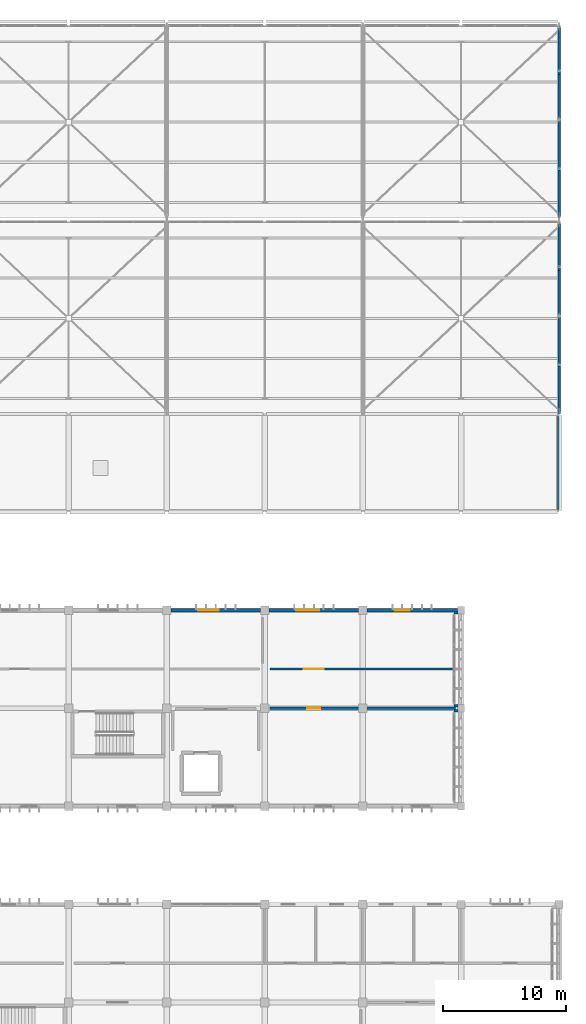
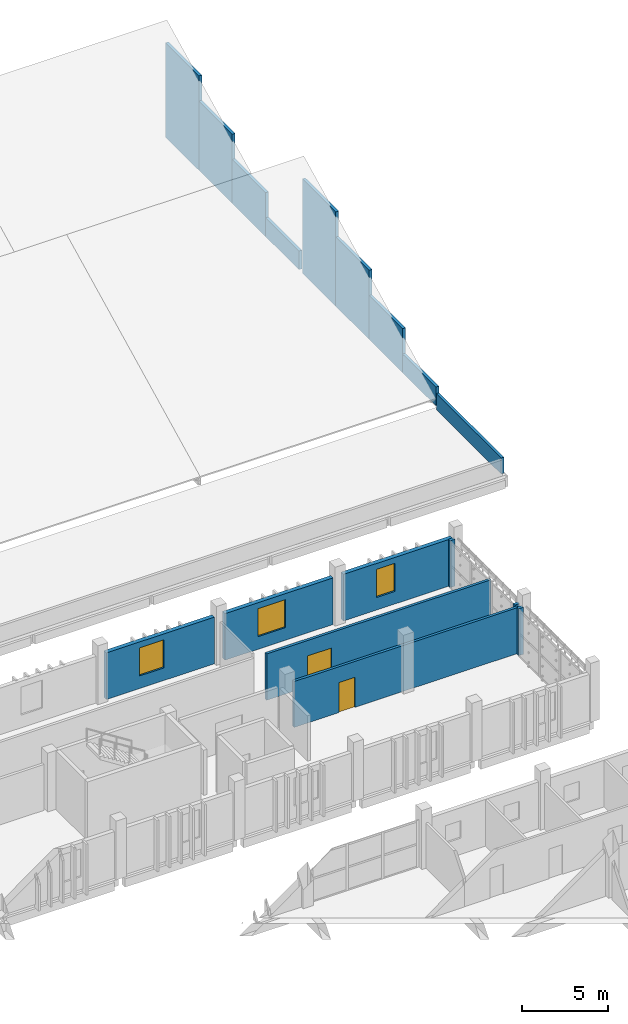
# One storey, part 123 of 137: 17 walls, 3 windows, 2 doors, 5 openings.
"""IFC4 building model written with IfcOpenShell, lengths in metres."""

from ifc_helpers import new_model, si_unit, direction, frame, frame_2d, origin, place, context, subcontext, project, spatial, rectangle, extrude, material, layer, layer_set, type_object, element, fill, save


model = new_model("IFC4")

# Units and contexts
model_context = context("Model", 3, precision=1e-05, world=origin(), true_north=direction((0.0, 1.0)))
body_context = subcontext(model_context, "Body", "Model", "MODEL_VIEW")
ifc_project = project(units=[si_unit("LENGTHUNIT", "METRE"), si_unit("AREAUNIT", "SQUARE_METRE"), si_unit("VOLUMEUNIT", "CUBIC_METRE"), si_unit("PLANEANGLEUNIT", "RADIAN"), si_unit("MASSUNIT", "GRAM", prefix="KILO")], contexts=[model_context])

# Site, building, storey
site_placement = place(None, origin())
site = spatial("IfcSite", under=ifc_project, at=site_placement, CompositionType="ELEMENT")
building_placement = place(site_placement, origin())
building = spatial("IfcBuilding", under=site, at=building_placement, Name="Jelvoka-Kovrelna Polytechnic", CompositionType="ELEMENT")
storey_placement = place(building_placement, frame((0.0, 0.0, 9.60009765625)))
storey = spatial("IfcBuildingStorey", under=building, at=storey_placement, Name="L03", CompositionType="ELEMENT", Elevation=9.60009765625)

# Wall, opening, door
ifc_material_1 = material(Name="Autoclaved aerated concrete blockwork", Category="masonry")
ifc_layer_1 = layer(ifc_material_1, 0.179931640625)
ifc_layer_set_1 = layer_set([ifc_layer_1], Name="Autoclaved aerated concrete blockwork")
wall_type_1 = type_object("IfcWallType", Name="Wall_Corridor_180", PredefinedType="PARTITIONING", material=ifc_layer_set_1)
wall_1_placement = place(storey_placement, frame((176.429931640625, 64.0, 0.0), z_axis=(0.0, 0.0, 1.0), x_axis=(1.0, 0.0, 0.0)))
wall_1 = element("IfcWall", 1, at=wall_1_placement, inside=storey, type_object=wall_type_1, Name="L03 interior wall 1067", PredefinedType="PARTITIONING", context=body_context, shape_type="SweptSolid", body=[
    extrude(rectangle(XDim=15.14013671875, YDim=0.179931640625, at=frame_2d((7.570068359375, 0.0))), origin(), (0.0, 0.0, 1.0), 3.27490234375),
])
opening_1_placement = place(wall_1_placement, frame((3.030029296875, 0.0, 0.0)))
opening_1 = element("IfcOpeningElement", 2, at=opening_1_placement, cuts=wall_1, Name="Opening D-L03-304", PredefinedType="OPENING", context=body_context, shape_type="SweptSolid", body=[
    extrude(rectangle(XDim=1.080078125, YDim=2.14990234375, at=frame_2d((0.5400390625, 1.074951171875))), frame((0.0, 0.099853515625, 0.0), z_axis=(0.0, -1.0, 0.0), x_axis=(1.0, 0.0, 0.0)), (0.0, 0.0, 1.0), 0.199951171875),
])
ifc_material_2 = material(Name="Hardwood acoustic seminar door", Category="wood")
door_type_1 = type_object("IfcDoorType", Name="Door_Int_D10", OperationType="NOTDEFINED", PredefinedType="DOOR", material=ifc_material_2)
door_1_placement = place(opening_1_placement, origin())
door_1 = element("IfcDoor", 3, at=door_1_placement, inside=storey, type_object=door_type_1, Name="L03 interior door D-L03-304", OperationType="SINGLE_SWING_RIGHT", OverallHeight=2.14990234375, OverallWidth=1.080078125, PredefinedType="DOOR", context=body_context, shape_type="SweptSolid", body=[
    extrude(rectangle(XDim=1.080078125, YDim=2.14990234375, at=frame_2d((0.5400390625, 1.074951171875))), frame((0.0, 0.02490234375, 0.0), z_axis=(0.0, -1.0, 0.0), x_axis=(1.0, 0.0, 0.0)), (0.0, 0.0, 1.0), 0.050048828125),
])
fill(opening_1, door_1)

wall_2_placement = place(storey_placement, frame((176.429931640625, 67.199951171875, 0.0), z_axis=(0.0, 0.0, 1.0), x_axis=(1.0, 0.0, 0.0)))
wall_2 = element("IfcWall", 4, at=wall_2_placement, inside=storey, type_object=wall_type_1, Name="L03 interior wall 1076", PredefinedType="PARTITIONING", context=body_context, shape_type="SweptSolid", body=[
    extrude(rectangle(XDim=15.14013671875, YDim=0.179931640625, at=frame_2d((7.570068359375, 0.0))), origin(), (0.0, 0.0, 1.0), 3.2998046875),
])
opening_2_placement = place(wall_2_placement, frame((2.760009765625, 0.0, 0.0)))
opening_2 = element("IfcOpeningElement", 5, at=opening_2_placement, cuts=wall_2, Name="Opening D-L03-310", PredefinedType="OPENING", context=body_context, shape_type="SweptSolid", body=[
    extrude(rectangle(XDim=1.6201171875, YDim=2.199951171875, at=frame_2d((0.81005859375, 1.10009765625))), frame((0.0, 0.099853515625, 0.0), z_axis=(0.0, -1.0, 0.0), x_axis=(1.0, 0.0, 0.0)), (0.0, 0.0, 1.0), 0.199951171875),
])
ifc_material_3 = material(Name="Paired library reading hall door", Category="wood")
door_type_2 = type_object("IfcDoorType", Name="Door_Int_D19", OperationType="NOTDEFINED", PredefinedType="DOOR", material=ifc_material_3)
door_2_placement = place(opening_2_placement, origin())
door_2 = element("IfcDoor", 6, at=door_2_placement, inside=storey, type_object=door_type_2, Name="L03 interior door D-L03-310", OperationType="DOUBLE_DOOR_SINGLE_SWING", OverallHeight=2.199951171875, OverallWidth=1.6201171875, PredefinedType="DOOR", context=body_context, shape_type="SweptSolid", body=[
    extrude(rectangle(XDim=1.6201171875, YDim=2.199951171875, at=frame_2d((0.81005859375, 1.10009765625))), frame((0.0, 0.02490234375, 0.0), z_axis=(0.0, -1.0, 0.0), x_axis=(1.0, 0.0, 0.0)), (0.0, 0.0, 1.0), 0.050048828125),
])
fill(opening_2, door_2)

# Wall, opening, window
ifc_material_4 = material(Name="Precast concrete C40/50", Category="concrete")
ifc_layer_2 = layer(ifc_material_4, 0.280029296875)
ifc_layer_set_2 = layer_set([ifc_layer_2], Name="Precast concrete C40/50")
wall_type_2 = type_object("IfcWallType", Name="Wall_Ext_White_280", PredefinedType="STANDARD", material=ifc_layer_set_2)
wall_3_placement = place(storey_placement, frame((168.346923828125, 72.0, 0.0), z_axis=(0.0, 0.0, 1.0), x_axis=(1.0, 0.0, 0.0)))
wall_3 = element("IfcWall", 7, at=wall_3_placement, inside=storey, type_object=wall_type_2, Name="L03 exterior wall 0666", PredefinedType="STANDARD", context=body_context, shape_type="SweptSolid", body=[
    extrude(rectangle(XDim=7.30615234375, YDim=0.280029296875, at=frame_2d((3.653076171875, 0.0))), origin(), (0.0, 0.0, 1.0), 3.324951171875),
])
opening_3_placement = place(wall_3_placement, frame((2.23291015625, 0.0, 0.89990234375)))
opening_3 = element("IfcOpeningElement", 8, at=opening_3_placement, cuts=wall_3, Name="Opening W-L03-336", PredefinedType="OPENING", context=body_context, shape_type="SweptSolid", body=[
    extrude(rectangle(XDim=1.64990234375, YDim=2.0, at=frame_2d((0.824951171875, 1.0))), frame((0.0, 0.150146484375, 0.0), z_axis=(0.0, -1.0, 0.0), x_axis=(1.0, 0.0, 0.0)), (0.0, 0.0, 1.0), 0.300048828125),
])
ifc_material_5 = material(Name="Thermally broken anodised aluminium and low-e glazing", Category="aluminium")
window_type_1 = type_object("IfcWindowType", Name="Win_Casement_W54", PartitioningType="DOUBLE_PANEL_VERTICAL", PredefinedType="WINDOW", material=ifc_material_5)
window_1_placement = place(opening_3_placement, origin())
window_1 = element("IfcWindow", 9, at=window_1_placement, inside=storey, type_object=window_type_1, Name="L03 aluminium casement window W-L03-336", OverallHeight=2.0, OverallWidth=1.64990234375, PartitioningType="DOUBLE_PANEL_VERTICAL", PredefinedType="WINDOW", context=body_context, shape_type="SweptSolid", body=[
    extrude(rectangle(XDim=1.64990234375, YDim=2.0, at=frame_2d((0.824951171875, 1.0))), frame((0.0, 0.030029296875, 0.0), z_axis=(0.0, -1.0, 0.0), x_axis=(1.0, 0.0, 0.0)), (0.0, 0.0, 1.0), 0.06005859375),
])
fill(opening_3, window_1)

wall_4_placement = place(storey_placement, frame((176.346923828125, 72.0, 0.0), z_axis=(0.0, 0.0, 1.0), x_axis=(1.0, 0.0, 0.0)))
wall_4 = element("IfcWall", 10, at=wall_4_placement, inside=storey, type_object=wall_type_2, Name="L03 exterior wall 0668", PredefinedType="STANDARD", context=body_context, shape_type="SweptSolid", body=[
    extrude(rectangle(XDim=7.30615234375, YDim=0.280029296875, at=frame_2d((3.653076171875, 0.0))), origin(), (0.0, 0.0, 1.0), 3.324951171875),
])
opening_4_placement = place(wall_4_placement, frame((2.23291015625, 0.0, 0.89990234375)))
opening_4 = element("IfcOpeningElement", 11, at=opening_4_placement, cuts=wall_4, Name="Opening W-L03-338", PredefinedType="OPENING", context=body_context, shape_type="SweptSolid", body=[
    extrude(rectangle(XDim=1.85009765625, YDim=2.0, at=frame_2d((0.925048828125, 1.0))), frame((0.0, 0.150146484375, 0.0), z_axis=(0.0, -1.0, 0.0), x_axis=(1.0, 0.0, 0.0)), (0.0, 0.0, 1.0), 0.300048828125),
])
ifc_material_6 = material(Name="Thermally broken anodised aluminium and low-e glazing", Category="aluminium")
window_type_2 = type_object("IfcWindowType", Name="Win_Casement_W55", PartitioningType="DOUBLE_PANEL_VERTICAL", PredefinedType="WINDOW", material=ifc_material_6)
window_2_placement = place(opening_4_placement, origin())
window_2 = element("IfcWindow", 12, at=window_2_placement, inside=storey, type_object=window_type_2, Name="L03 aluminium casement window W-L03-338", OverallHeight=2.0, OverallWidth=1.85009765625, PartitioningType="DOUBLE_PANEL_VERTICAL", PredefinedType="WINDOW", context=body_context, shape_type="SweptSolid", body=[
    extrude(rectangle(XDim=1.85009765625, YDim=2.0, at=frame_2d((0.925048828125, 1.0))), frame((0.0, 0.030029296875, 0.0), z_axis=(0.0, -1.0, 0.0), x_axis=(1.0, 0.0, 0.0)), (0.0, 0.0, 1.0), 0.06005859375),
])
fill(opening_4, window_2)

wall_5_placement = place(storey_placement, frame((184.346923828125, 72.0, 0.0), z_axis=(0.0, 0.0, 1.0), x_axis=(1.0, 0.0, 0.0)))
wall_5 = element("IfcWall", 13, at=wall_5_placement, inside=storey, type_object=wall_type_2, Name="L03 exterior wall 0670", PredefinedType="STANDARD", context=body_context, shape_type="SweptSolid", body=[
    extrude(rectangle(XDim=7.35595703125, YDim=0.280029296875, at=frame_2d((3.677978515625, 0.0))), origin(), (0.0, 0.0, 1.0), 3.324951171875),
])
opening_5_placement = place(wall_5_placement, frame((2.23291015625, 0.0, 0.89990234375)))
opening_5 = element("IfcOpeningElement", 14, at=opening_5_placement, cuts=wall_5, Name="Opening W-L03-340", PredefinedType="OPENING", context=body_context, shape_type="SweptSolid", body=[
    extrude(rectangle(XDim=1.25, YDim=2.0, at=frame_2d((0.625, 1.0))), frame((0.0, 0.150146484375, 0.0), z_axis=(0.0, -1.0, 0.0), x_axis=(1.0, 0.0, 0.0)), (0.0, 0.0, 1.0), 0.300048828125),
])
ifc_material_7 = material(Name="Thermally broken anodised aluminium and low-e glazing", Category="aluminium")
window_type_3 = type_object("IfcWindowType", Name="Win_Casement_W52", PartitioningType="SINGLE_PANEL", PredefinedType="WINDOW", material=ifc_material_7)
window_3_placement = place(opening_5_placement, origin())
window_3 = element("IfcWindow", 15, at=window_3_placement, inside=storey, type_object=window_type_3, Name="L03 aluminium casement window W-L03-340", OverallHeight=2.0, OverallWidth=1.25, PartitioningType="SINGLE_PANEL", PredefinedType="WINDOW", context=body_context, shape_type="SweptSolid", body=[
    extrude(rectangle(XDim=1.25, YDim=2.0, at=frame_2d((0.625, 1.0))), frame((0.0, 0.030029296875, 0.0), z_axis=(0.0, -1.0, 0.0), x_axis=(1.0, 0.0, 0.0)), (0.0, 0.0, 1.0), 0.06005859375),
])
fill(opening_5, window_3)

# Walls
ifc_material_8 = material(Name="Precast concrete C40/50", Category="concrete")
ifc_layer_3 = layer(ifc_material_8, 0.179931640625)
ifc_layer_set_3 = layer_set([ifc_layer_3], Name="Precast concrete C40/50")
wall_type_3 = type_object("IfcWallType", Name="Wall_Parapet_180", PredefinedType="PARAPET", material=ifc_layer_set_3)
wall_6_placement = place(storey_placement, frame((199.89990234375, 80.219970703125, 0.0), z_axis=(0.0, 0.0, 1.0), x_axis=(0.0, 1.0, 0.0)))
element("IfcWall", 16, at=wall_6_placement, inside=storey, type_object=wall_type_3, Name="L03 exterior wall 1193", PredefinedType="PARAPET", context=body_context, shape_type="SweptSolid", body=[
    extrude(rectangle(XDim=7.56005859375, YDim=0.179931640625, at=frame_2d((3.780029296875, 0.0))), origin(), (0.0, 0.0, 1.0), 1.14990234375),
])
ifc_material_9 = material(Name="Precast concrete C40/50", Category="concrete")
ifc_layer_4 = layer(ifc_material_9, 0.199951171875)
ifc_layer_set_4 = layer_set([ifc_layer_4], Name="Precast concrete C40/50")
wall_type_4 = type_object("IfcWallType", Name="Wall_Parapet_200", PredefinedType="PARAPET", material=ifc_layer_set_4)
for number, where, z_axis, x_axis, name in (
    (17, (191.760009765625, 63.780029296875, 0.0), (0.0, 0.0, 1.0), (-1.0, 0.0, 0.0), "L03 exterior wall 0672"),
    (18, (191.760009765625, 64.219970703125, 0.0), (0.0, 0.0, 1.0), (-1.0, 0.0, 0.0), "L03 exterior wall 0673"),
    (19, (191.760009765625, 71.780029296875, 0.0), (0.0, 0.0, 1.0), (-1.0, 0.0, 0.0), "L03 exterior wall 0674"),
):
    element("IfcWall", number, at=place(storey_placement, frame(where, z_axis=z_axis, x_axis=x_axis)), inside=storey, type_object=wall_type_4, Name=name, PredefinedType="PARAPET", context=body_context, shape_type="SweptSolid", body=[
        extrude(rectangle(XDim=0.320068359375, YDim=0.199951171875, at=frame_2d((0.16015625, 0.0))), origin(), (0.0, 0.0, 1.0), 3.349853515625),
    ])
wall_7_placement = place(storey_placement, frame((200.0, 88.0, 0.119873046875), z_axis=(0.0, 0.0, 1.0), x_axis=(0.0, 1.0, 0.0)))
element("IfcWall", 20, at=wall_7_placement, inside=storey, type_object=wall_type_4, Name="L03 exterior wall 0946", PredefinedType="PARAPET", context=body_context, shape_type="SweptSolid", body=[
    extrude(rectangle(XDim=3.89990234375, YDim=0.199951171875, at=frame_2d((1.949951171875, 0.0))), origin(), (0.0, 0.0, 1.0), 1.330078125),
])
wall_8_placement = place(storey_placement, frame((200.0, 91.89990234375, 0.119873046875), z_axis=(0.0, 0.0, 1.0), x_axis=(0.0, 1.0, 0.0)))
element("IfcWall", 21, at=wall_8_placement, inside=storey, type_object=wall_type_4, Name="L03 exterior wall 0947", PredefinedType="PARAPET", context=body_context, shape_type="SweptSolid", body=[
    extrude(rectangle(XDim=3.900146484375, YDim=0.199951171875, at=frame_2d((1.9501953125, 0.0))), origin(), (0.0, 0.0, 1.0), 3.130126953125),
])
wall_9_placement = place(storey_placement, frame((200.0, 95.800048828125, 0.119873046875), z_axis=(0.0, 0.0, 1.0), x_axis=(0.0, 1.0, 0.0)))
element("IfcWall", 22, at=wall_9_placement, inside=storey, type_object=wall_type_4, Name="L03 exterior wall 0948", PredefinedType="PARAPET", context=body_context, shape_type="SweptSolid", body=[
    extrude(rectangle(XDim=3.89990234375, YDim=0.199951171875, at=frame_2d((1.949951171875, 0.0))), origin(), (0.0, 0.0, 1.0), 4.929931640625),
])
wall_10_placement = place(storey_placement, frame((200.0, 99.699951171875, 0.119873046875), z_axis=(0.0, 0.0, 1.0), x_axis=(0.0, 1.0, 0.0)))
element("IfcWall", 23, at=wall_10_placement, inside=storey, type_object=wall_type_4, Name="L03 exterior wall 0949", PredefinedType="PARAPET", context=body_context, shape_type="SweptSolid", body=[
    extrude(rectangle(XDim=3.900146484375, YDim=0.199951171875, at=frame_2d((1.9501953125, 0.0))), origin(), (0.0, 0.0, 1.0), 6.72998046875),
])
wall_11_placement = place(storey_placement, frame((200.0, 104.0, 0.119873046875), z_axis=(0.0, 0.0, 1.0), x_axis=(0.0, 1.0, 0.0)))
element("IfcWall", 24, at=wall_11_placement, inside=storey, type_object=wall_type_4, Name="L03 exterior wall 0950", PredefinedType="PARAPET", context=body_context, shape_type="SweptSolid", body=[
    extrude(rectangle(XDim=3.89990234375, YDim=0.199951171875, at=frame_2d((1.949951171875, 0.0))), origin(), (0.0, 0.0, 1.0), 1.330078125),
])
wall_12_placement = place(storey_placement, frame((200.0, 107.89990234375, 0.119873046875), z_axis=(0.0, 0.0, 1.0), x_axis=(0.0, 1.0, 0.0)))
element("IfcWall", 25, at=wall_12_placement, inside=storey, type_object=wall_type_4, Name="L03 exterior wall 0951", PredefinedType="PARAPET", context=body_context, shape_type="SweptSolid", body=[
    extrude(rectangle(XDim=3.900146484375, YDim=0.199951171875, at=frame_2d((1.9501953125, 0.0))), origin(), (0.0, 0.0, 1.0), 3.130126953125),
])
wall_13_placement = place(storey_placement, frame((200.0, 111.800048828125, 0.119873046875), z_axis=(0.0, 0.0, 1.0), x_axis=(0.0, 1.0, 0.0)))
element("IfcWall", 26, at=wall_13_placement, inside=storey, type_object=wall_type_4, Name="L03 exterior wall 0952", PredefinedType="PARAPET", context=body_context, shape_type="SweptSolid", body=[
    extrude(rectangle(XDim=3.89990234375, YDim=0.199951171875, at=frame_2d((1.949951171875, 0.0))), origin(), (0.0, 0.0, 1.0), 4.929931640625),
])
wall_14_placement = place(storey_placement, frame((200.0, 115.699951171875, 0.119873046875), z_axis=(0.0, 0.0, 1.0), x_axis=(0.0, 1.0, 0.0)))
element("IfcWall", 27, at=wall_14_placement, inside=storey, type_object=wall_type_4, Name="L03 exterior wall 0953", PredefinedType="PARAPET", context=body_context, shape_type="SweptSolid", body=[
    extrude(rectangle(XDim=3.900146484375, YDim=0.199951171875, at=frame_2d((1.9501953125, 0.0))), origin(), (0.0, 0.0, 1.0), 6.72998046875),
])

save(model, "model.ifc")
